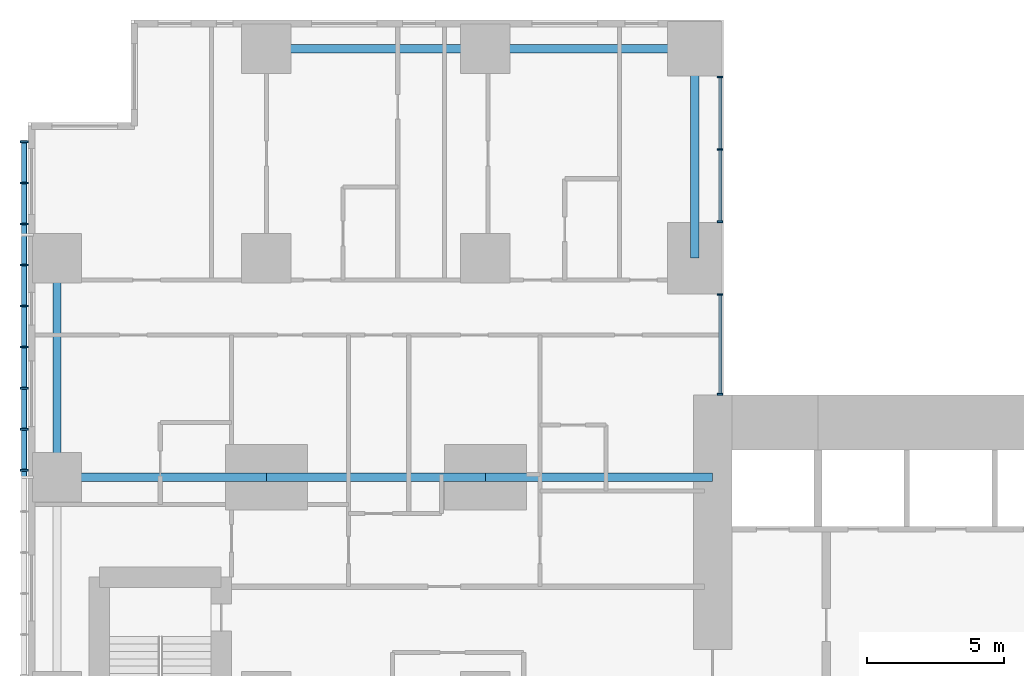
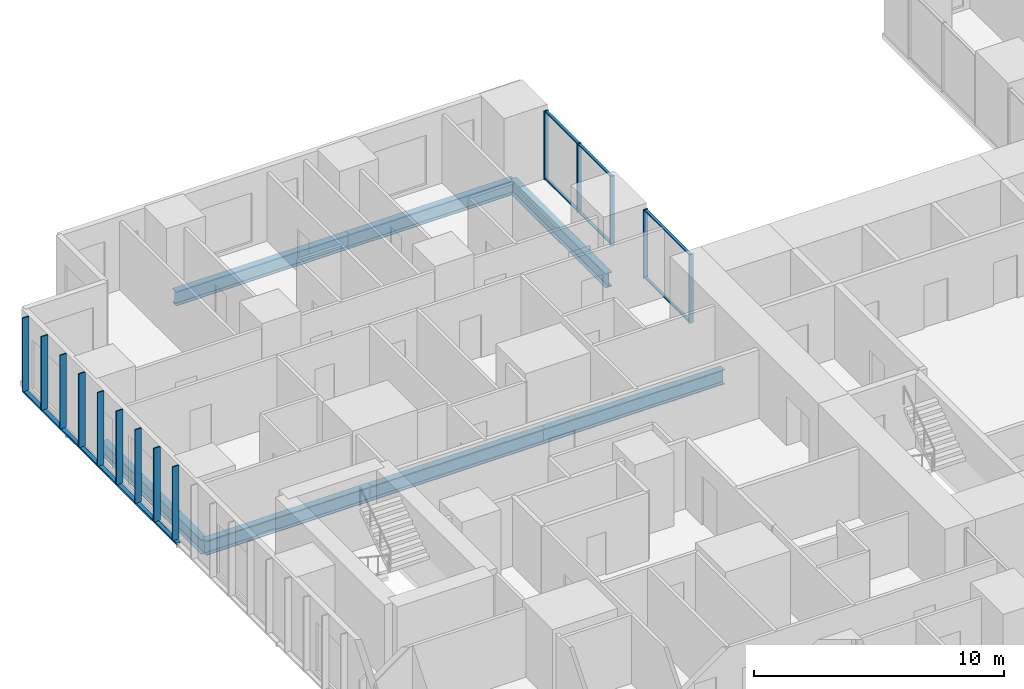
# One storey, part 4 of 20: 21 members, 7 beams, 2 elements without a shape of their own.
"""IFC4 building model written with IfcOpenShell, lengths in metres."""

from ifc_helpers import new_model, si_unit, direction, frame, origin, origin_2d, place, context, subcontext, project, spatial, rectangle, hollow_rectangle, i_section, extrude, material, layer, layer_set, material_profile, profile_set, type_object, element, aggregate, save


model = new_model("IFC4")

# Units and contexts
model_context = context("Model", 3, precision=1e-05, world=origin(), true_north=direction((0.0, 1.0)))
body_context = subcontext(model_context, "Body", "Model", "MODEL_VIEW")
ifc_project = project(units=[si_unit("LENGTHUNIT", "METRE"), si_unit("AREAUNIT", "SQUARE_METRE"), si_unit("VOLUMEUNIT", "CUBIC_METRE"), si_unit("PLANEANGLEUNIT", "RADIAN"), si_unit("MASSUNIT", "GRAM", prefix="KILO")], contexts=[model_context])

# Site, building, storey
site_placement = place(None, origin())
site = spatial("IfcSite", under=ifc_project, at=site_placement, CompositionType="ELEMENT")
building_placement = place(site_placement, origin())
building = spatial("IfcBuilding", under=site, at=building_placement, Name="Cleftline Residences", CompositionType="ELEMENT")
storey_placement = place(building_placement, frame((0.0, 0.0, 207.39990234375)))
storey = spatial("IfcBuildingStorey", under=building, at=storey_placement, Name="L54", CompositionType="ELEMENT", Elevation=207.39990234375)

# Member
ifc_material_1 = material(Name="Steel S355, hot-dip galvanised", Category="steel")
ifc_material_profile_1 = material_profile(ifc_material_1, hollow_rectangle(XDim=0.10009765625, YDim=0.199951171875, WallThickness=0.008056640625, InnerFilletRadius=0.008056640625, OuterFilletRadius=0.011962890625, at=origin_2d()))
ifc_profile_set_1 = profile_set([ifc_material_profile_1], Name="Steel S355, hot-dip galvanised")
member_type_1 = type_object("IfcMemberType", Name="BAGUETTE CARRIER RHS 200X100X8", PredefinedType="USERDEFINED", material=ifc_profile_set_1)
member_1_placement = place(storey_placement, frame((-0.85009765625, 44.300048828125, -0.0498046875), z_axis=(0.0, -1.0, 0.0), x_axis=(0.0, 0.0, 1.0)))
element("IfcMember", 1, at=member_1_placement, inside=storey, type_object=member_type_1, Name="Baguette carrier", ObjectType="BAGUETTE CARRIER", PredefinedType="USERDEFINED", context=body_context, shape_type="SweptSolid", body=[
    extrude(hollow_rectangle(XDim=0.10009765625, YDim=0.199951171875, WallThickness=0.008056640625, InnerFilletRadius=0.008056640625, OuterFilletRadius=0.011962890625, at=origin_2d()), origin(), (0.0, 0.0, 1.0), 12.300048828125),
])

# Beams
ifc_material_2 = material(Name="Steel S355", Category="steel")
ifc_material_profile_2 = material_profile(ifc_material_2, i_section(OverallWidth=0.300048828125, OverallDepth=0.699951171875, WebThickness=0.01708984375, FlangeThickness=0.031982421875, FilletRadius=0.027099609375, at=origin_2d()))
ifc_profile_set_2 = profile_set([ifc_material_profile_2], Name="Steel S355")
beam_type_1 = type_object("IfcBeamType", Name="BEAM HEB 700", PredefinedType="BEAM", material=ifc_profile_set_2)
for number, where, z_axis, x_axis, name in (
    (2, (0.35009765625, 32.0, -0.599853515625), (0.0, 1.0, 0.0), (-1.0, 0.0, 0.0), "Edge beam"),
    (3, (8.0, 47.64990234375, -0.599853515625), (1.0, 0.0, 0.0), (0.0, 1.0, 0.0), "Edge beam"),
):
    element("IfcBeam", number, at=place(storey_placement, frame(where, z_axis=z_axis, x_axis=x_axis)), inside=storey, type_object=beam_type_1, Name=name, PredefinedType="BEAM", context=body_context, shape_type="SweptSolid", body=[
        extrude(i_section(OverallWidth=0.300048828125, OverallDepth=0.699951171875, WebThickness=0.01708984375, FlangeThickness=0.031982421875, FilletRadius=0.027099609375, at=origin_2d()), origin(), (0.0, 0.0, 1.0), 8.0),
    ])
for number, where, z_axis, x_axis, name in (
    (4, (16.0, 47.64990234375, -0.599853515625), (1.0, 0.0, 0.0), (0.0, 1.0, 0.0), "Edge beam"),
    (5, (23.64990234375, 47.64990234375, -0.599853515625), (0.0, -1.0, 0.0), (1.0, 0.0, 0.0), "Edge beam"),
):
    element("IfcBeam", number, at=place(storey_placement, frame(where, z_axis=z_axis, x_axis=x_axis)), inside=storey, type_object=beam_type_1, Name=name, PredefinedType="BEAM", context=body_context, shape_type="SweptSolid", body=[
        extrude(i_section(OverallWidth=0.300048828125, OverallDepth=0.699951171875, WebThickness=0.01708984375, FlangeThickness=0.031982421875, FilletRadius=0.027099609375, at=origin_2d()), origin(), (0.0, 0.0, 1.0), 7.64990234375),
    ])
ifc_material_3 = material(Name="Steel S355", Category="steel")
ifc_material_profile_3 = material_profile(ifc_material_3, i_section(OverallWidth=0.303955078125, OverallDepth=0.716064453125, WebThickness=0.02099609375, FlangeThickness=0.0400390625, FilletRadius=0.027099609375, at=origin_2d()))
ifc_profile_set_3 = profile_set([ifc_material_profile_3], Name="Steel S355")
beam_type_2 = type_object("IfcBeamType", Name="BEAM HEM 700", PredefinedType="BEAM", material=ifc_profile_set_3)
beam_1_placement = place(storey_placement, frame((0.35009765625, 32.0, -0.60791015625), z_axis=(1.0, 0.0, 0.0), x_axis=(0.0, 1.0, 0.0)))
element("IfcBeam", 6, at=beam_1_placement, inside=storey, type_object=beam_type_2, Name="Band beam", PredefinedType="BEAM", context=body_context, shape_type="SweptSolid", body=[
    extrude(i_section(OverallWidth=0.303955078125, OverallDepth=0.716064453125, WebThickness=0.02099609375, FlangeThickness=0.0400390625, FilletRadius=0.027099609375, at=origin_2d()), origin(), (0.0, 0.0, 1.0), 7.64990234375),
])
beam_2_placement = place(storey_placement, frame((8.0, 32.0, -0.60791015625), z_axis=(1.0, 0.0, 0.0), x_axis=(0.0, 1.0, 0.0)))
element("IfcBeam", 7, at=beam_2_placement, inside=storey, type_object=beam_type_2, Name="Band beam", PredefinedType="BEAM", context=body_context, shape_type="SweptSolid", body=[
    extrude(i_section(OverallWidth=0.303955078125, OverallDepth=0.716064453125, WebThickness=0.02099609375, FlangeThickness=0.0400390625, FilletRadius=0.027099609375, at=origin_2d()), origin(), (0.0, 0.0, 1.0), 8.0),
])
beam_3_placement = place(storey_placement, frame((16.0, 32.0, -0.60791015625), z_axis=(1.0, 0.0, 0.0), x_axis=(0.0, 1.0, 0.0)))
element("IfcBeam", 8, at=beam_3_placement, inside=storey, type_object=beam_type_2, Name="Band beam", PredefinedType="BEAM", context=body_context, shape_type="SweptSolid", body=[
    extrude(i_section(OverallWidth=0.303955078125, OverallDepth=0.716064453125, WebThickness=0.02099609375, FlangeThickness=0.0400390625, FilletRadius=0.027099609375, at=origin_2d()), origin(), (0.0, 0.0, 1.0), 8.300048828125),
])

# Curtain wall, members
ifc_material_4 = material(Name="Aluminium framed curtain wall", Category="aluminium")
ifc_layer = layer(ifc_material_4, 0.199951171875)
ifc_layer_set = layer_set([ifc_layer], Name="CW1 CLEFT GLAZING")
curtain_wall_type = type_object("IfcCurtainWallType", Name="CW1 CLEFT GLAZING", PredefinedType="NOTDEFINED", material=ifc_layer_set)
curtain_wall_1_placement = place(storey_placement, origin())
curtain_wall_1 = element("IfcCurtainWall", 9, at=curtain_wall_1_placement, inside=storey, type_object=curtain_wall_type, Name="Curtain wall CW1", PredefinedType="NOTDEFINED")
ifc_material_5 = material(Name="Aluminium mullion", Category="aluminium")
ifc_material_profile_4 = material_profile(ifc_material_5, rectangle(XDim=0.199951171875, YDim=0.06005859375, at=origin_2d()))
ifc_profile_set_4 = profile_set([ifc_material_profile_4], Name="Aluminium mullion")
member_type_2 = type_object("IfcMemberType", Name="CW1 MULLION", PredefinedType="MULLION", material=ifc_profile_set_4)
member_2_placement = place(storey_placement, frame((24.574951171875, 35.030029296875, 0.0), z_axis=(0.0, 0.0, 1.0), x_axis=(-1.0, 0.0, 0.0)))
member_2 = element("IfcMember", 10, at=member_2_placement, type_object=member_type_2, Name="CW1 mullion 1", PredefinedType="MULLION", context=body_context, shape_type="SweptSolid", body=[
    extrude(rectangle(XDim=0.199951171875, YDim=0.06005859375, at=origin_2d()), origin(), (0.0, 0.0, 1.0), 3.35009765625),
])
member_3_placement = place(storey_placement, frame((24.574951171875, 38.669921875, 0.0), z_axis=(0.0, 0.0, 1.0), x_axis=(-1.0, 0.0, 0.0)))
member_3 = element("IfcMember", 11, at=member_3_placement, type_object=member_type_2, Name="CW1 mullion 2", PredefinedType="MULLION", context=body_context, shape_type="SweptSolid", body=[
    extrude(rectangle(XDim=0.199951171875, YDim=0.06005859375, at=origin_2d()), origin(), (0.0, 0.0, 1.0), 3.35009765625),
])

curtain_wall_2_placement = place(storey_placement, origin())
curtain_wall_2 = element("IfcCurtainWall", 12, at=curtain_wall_2_placement, inside=storey, type_object=curtain_wall_type, Name="Curtain wall CW1", PredefinedType="NOTDEFINED")
member_4_placement = place(storey_placement, frame((24.574951171875, 41.330078125, 0.0), z_axis=(0.0, 0.0, 1.0), x_axis=(-1.0, 0.0, 0.0)))
member_4 = element("IfcMember", 13, at=member_4_placement, type_object=member_type_2, Name="CW1 mullion 1", PredefinedType="MULLION", context=body_context, shape_type="SweptSolid", body=[
    extrude(rectangle(XDim=0.199951171875, YDim=0.06005859375, at=origin_2d()), origin(), (0.0, 0.0, 1.0), 3.35009765625),
])
member_5_placement = place(storey_placement, frame((24.574951171875, 43.97509765625, 0.0), z_axis=(0.0, 0.0, 1.0), x_axis=(-1.0, 0.0, 0.0)))
member_5 = element("IfcMember", 14, at=member_5_placement, type_object=member_type_2, Name="CW1 mullion 2", PredefinedType="MULLION", context=body_context, shape_type="SweptSolid", body=[
    extrude(rectangle(XDim=0.199951171875, YDim=0.06005859375, at=origin_2d()), origin(), (0.0, 0.0, 1.0), 3.35009765625),
])
member_6_placement = place(storey_placement, frame((24.574951171875, 46.6201171875, 0.0), z_axis=(0.0, 0.0, 1.0), x_axis=(-1.0, 0.0, 0.0)))
member_6 = element("IfcMember", 15, at=member_6_placement, type_object=member_type_2, Name="CW1 mullion 3", PredefinedType="MULLION", context=body_context, shape_type="SweptSolid", body=[
    extrude(rectangle(XDim=0.199951171875, YDim=0.06005859375, at=origin_2d()), origin(), (0.0, 0.0, 1.0), 3.35009765625),
])

# Member
ifc_material_6 = material(Name="Aluminium transom", Category="aluminium")
ifc_material_profile_5 = material_profile(ifc_material_6, rectangle(XDim=0.1201171875, YDim=0.06005859375, at=origin_2d()))
ifc_profile_set_5 = profile_set([ifc_material_profile_5], Name="Aluminium transom")
member_type_3 = type_object("IfcMemberType", Name="CW1 TRANSOM", PredefinedType="USERDEFINED", material=ifc_profile_set_5)
member_7_placement = place(storey_placement, frame((24.574951171875, 35.06005859375, 0.030029296875), z_axis=(0.0, 1.0, 0.0), x_axis=(-1.0, 0.0, 0.0)))
member_7 = element("IfcMember", 16, at=member_7_placement, type_object=member_type_3, Name="CW1 transom 1.1", ObjectType="TRANSOM", PredefinedType="USERDEFINED", context=body_context, shape_type="SweptSolid", body=[
    extrude(rectangle(XDim=0.1201171875, YDim=0.06005859375, at=origin_2d()), origin(), (0.0, 0.0, 1.0), 3.579833984375),
])

member_8_placement = place(storey_placement, frame((24.574951171875, 35.06005859375, 3.320068359375), z_axis=(0.0, 1.0, 0.0), x_axis=(-1.0, 0.0, 0.0)))
member_8 = element("IfcMember", 17, at=member_8_placement, type_object=member_type_3, Name="CW1 transom 1.2", ObjectType="TRANSOM", PredefinedType="USERDEFINED", context=body_context, shape_type="SweptSolid", body=[
    extrude(rectangle(XDim=0.1201171875, YDim=0.06005859375, at=origin_2d()), origin(), (0.0, 0.0, 1.0), 3.579833984375),
])

aggregate(curtain_wall_1, [member_2, member_3, member_7, member_8])

member_9_placement = place(storey_placement, frame((24.574951171875, 41.360107421875, 0.030029296875), z_axis=(0.0, 1.0, 0.0), x_axis=(-1.0, 0.0, 0.0)))
member_9 = element("IfcMember", 18, at=member_9_placement, type_object=member_type_3, Name="CW1 transom 1.1", ObjectType="TRANSOM", PredefinedType="USERDEFINED", context=body_context, shape_type="SweptSolid", body=[
    extrude(rectangle(XDim=0.1201171875, YDim=0.06005859375, at=origin_2d()), origin(), (0.0, 0.0, 1.0), 2.5849609375),
])

member_10_placement = place(storey_placement, frame((24.574951171875, 41.360107421875, 3.320068359375), z_axis=(0.0, 1.0, 0.0), x_axis=(-1.0, 0.0, 0.0)))
member_10 = element("IfcMember", 19, at=member_10_placement, type_object=member_type_3, Name="CW1 transom 1.2", ObjectType="TRANSOM", PredefinedType="USERDEFINED", context=body_context, shape_type="SweptSolid", body=[
    extrude(rectangle(XDim=0.1201171875, YDim=0.06005859375, at=origin_2d()), origin(), (0.0, 0.0, 1.0), 2.5849609375),
])

member_11_placement = place(storey_placement, frame((24.574951171875, 44.0048828125, 0.030029296875), z_axis=(0.0, 1.0, 0.0), x_axis=(-1.0, 0.0, 0.0)))
member_11 = element("IfcMember", 20, at=member_11_placement, type_object=member_type_3, Name="CW1 transom 2.1", ObjectType="TRANSOM", PredefinedType="USERDEFINED", context=body_context, shape_type="SweptSolid", body=[
    extrude(rectangle(XDim=0.1201171875, YDim=0.06005859375, at=origin_2d()), origin(), (0.0, 0.0, 1.0), 2.585205078125),
])

member_12_placement = place(storey_placement, frame((24.574951171875, 44.0048828125, 3.320068359375), z_axis=(0.0, 1.0, 0.0), x_axis=(-1.0, 0.0, 0.0)))
member_12 = element("IfcMember", 21, at=member_12_placement, type_object=member_type_3, Name="CW1 transom 2.2", ObjectType="TRANSOM", PredefinedType="USERDEFINED", context=body_context, shape_type="SweptSolid", body=[
    extrude(rectangle(XDim=0.1201171875, YDim=0.06005859375, at=origin_2d()), origin(), (0.0, 0.0, 1.0), 2.585205078125),
])

aggregate(curtain_wall_2, [member_4, member_5, member_6, member_9, member_10, member_11, member_12])

# Members
ifc_material_7 = material(Name="Extruded terracotta", Category="masonry")
ifc_material_profile_6 = material_profile(ifc_material_7, rectangle(XDim=0.06005859375, YDim=0.300048828125, at=origin_2d()))
ifc_profile_set_6 = profile_set([ifc_material_profile_6], Name="Extruded terracotta")
member_type_4 = type_object("IfcMemberType", Name="TERRACOTTA BAGUETTE 60X300", PredefinedType="USERDEFINED", material=ifc_profile_set_6)
for number, where, z_axis, x_axis, name in (
    (22, (-0.85009765625, 44.25, 0.0), (0.0, 0.0, 1.0), (0.0, 1.0, 0.0), "Terracotta baguette"),
    (23, (-0.85009765625, 42.75, 0.0), (0.0, 0.0, 1.0), (0.0, 1.0, 0.0), "Terracotta baguette"),
    (24, (-0.85009765625, 41.25, 0.0), (0.0, 0.0, 1.0), (0.0, 1.0, 0.0), "Terracotta baguette"),
    (25, (-0.85009765625, 39.75, 0.0), (0.0, 0.0, 1.0), (0.0, 1.0, 0.0), "Terracotta baguette"),
    (26, (-0.85009765625, 38.25, 0.0), (0.0, 0.0, 1.0), (0.0, 1.0, 0.0), "Terracotta baguette"),
    (27, (-0.85009765625, 36.75, 0.0), (0.0, 0.0, 1.0), (0.0, 1.0, 0.0), "Terracotta baguette"),
    (28, (-0.85009765625, 35.25, 0.0), (0.0, 0.0, 1.0), (0.0, 1.0, 0.0), "Terracotta baguette"),
    (29, (-0.85009765625, 33.75, 0.0), (0.0, 0.0, 1.0), (0.0, 1.0, 0.0), "Terracotta baguette"),
    (30, (-0.85009765625, 32.25, 0.0), (0.0, 0.0, 1.0), (0.0, 1.0, 0.0), "Terracotta baguette"),
):
    element("IfcMember", number, at=place(storey_placement, frame(where, z_axis=z_axis, x_axis=x_axis)), inside=storey, type_object=member_type_4, Name=name, ObjectType="BAGUETTE", PredefinedType="USERDEFINED", context=body_context, shape_type="SweptSolid", body=[
        extrude(rectangle(XDim=0.06005859375, YDim=0.300048828125, at=origin_2d()), origin(), (0.0, 0.0, 1.0), 3.60009765625),
    ])

save(model, "model.ifc")
